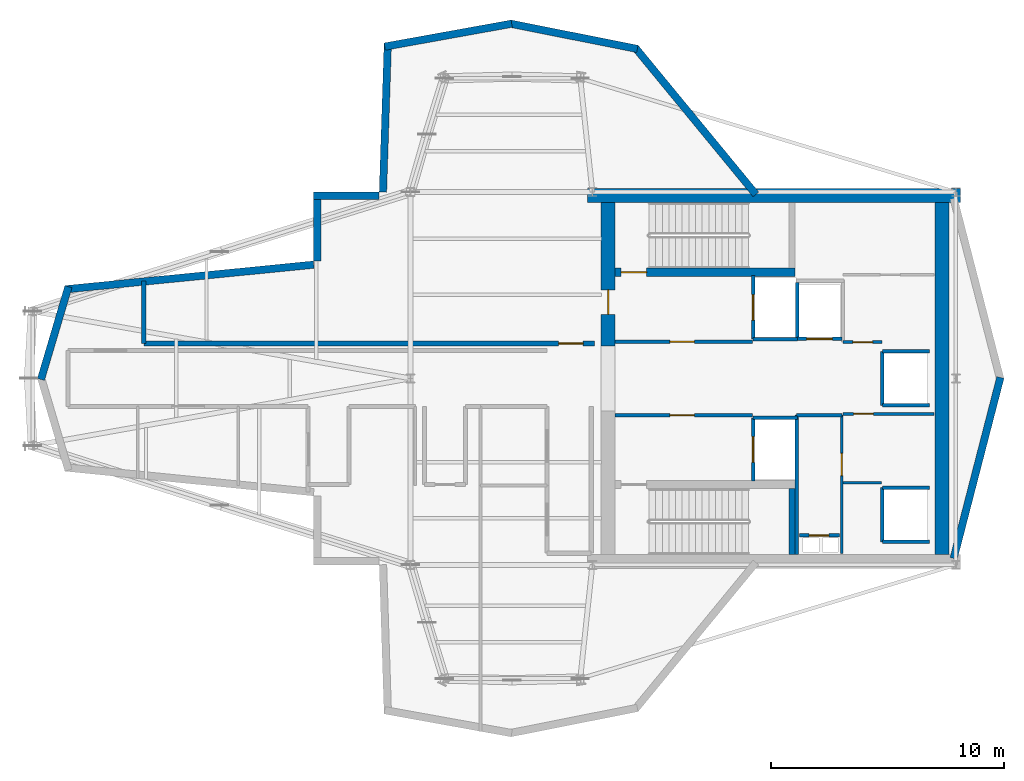
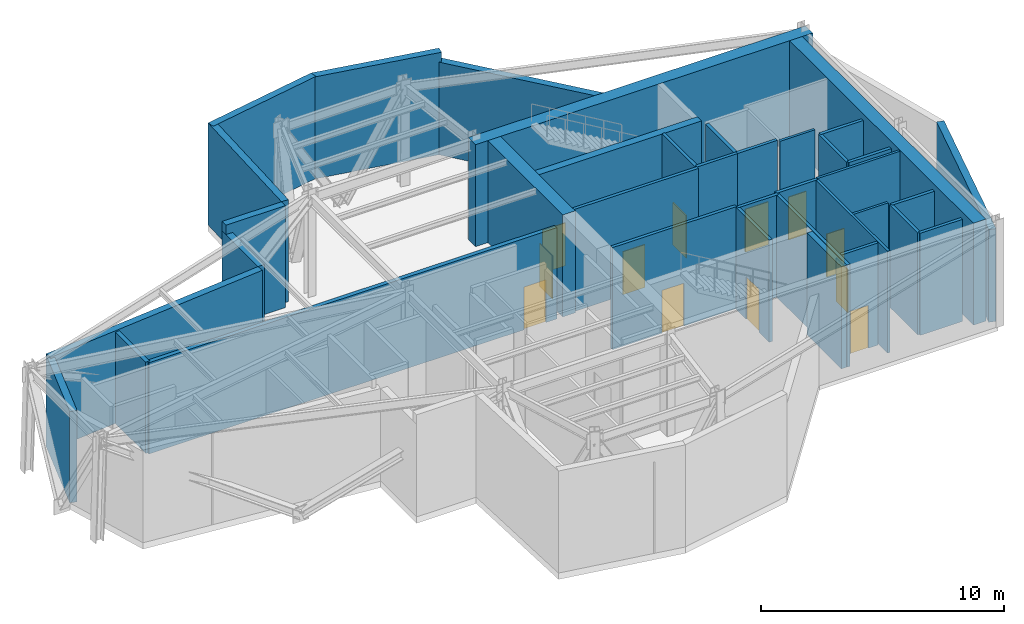
# One storey, part 3 of 5: 37 walls, 12 doors, 12 openings.
"""IFC4 building model written with IfcOpenShell, lengths in metres."""

from ifc_helpers import new_model, si_unit, direction, frame, frame_2d, origin, place, context, subcontext, project, spatial, rectangle, extrude, material, layer, layer_set, type_object, element, fill, save


model = new_model("IFC4")

# Units and contexts
model_context = context("Model", 3, precision=1e-05, world=origin(), true_north=direction((0.0, 1.0)))
body_context = subcontext(model_context, "Body", "Model", "MODEL_VIEW")
ifc_project = project(units=[si_unit("LENGTHUNIT", "METRE"), si_unit("AREAUNIT", "SQUARE_METRE"), si_unit("VOLUMEUNIT", "CUBIC_METRE"), si_unit("PLANEANGLEUNIT", "RADIAN"), si_unit("MASSUNIT", "GRAM", prefix="KILO")], contexts=[model_context])

# Site, building, storey
site_placement = place(None, origin())
site = spatial("IfcSite", under=ifc_project, at=site_placement, CompositionType="ELEMENT")
building_placement = place(site_placement, origin())
building = spatial("IfcBuilding", under=site, at=building_placement, Name="Veymaron Broadcast Tower", CompositionType="ELEMENT")
storey_placement = place(building_placement, frame((0.0, 0.0, 256.64990234375)))
storey = spatial("IfcBuildingStorey", under=building, at=storey_placement, Name="L60", CompositionType="ELEMENT", Elevation=256.64990234375)

# Walls
ifc_material_1 = material(Name="Precast concrete C40/50", Category="concrete")
ifc_layer_1 = layer(ifc_material_1, 0.320068359375)
ifc_layer_set_1 = layer_set([ifc_layer_1], Name="Precast concrete C40/50")
wall_type_1 = type_object("IfcWallType", Name="WALL-EXT-320", PredefinedType="STANDARD", material=ifc_layer_set_1)
wall_1_placement = place(storey_placement, frame((54.505859375, 16.275146484375, 0.0), z_axis=(0.0, 0.0, 1.0), x_axis=(0.250085170831, 0.968223841542, 0.0)))
element("IfcWall", 1, at=wall_1_placement, inside=storey, type_object=wall_type_1, Name="L60 mechanical belt-truss facade band 2-1", PredefinedType="STANDARD", context=body_context, shape_type="SweptSolid", body=[
    extrude(rectangle(XDim=8.019775390625, YDim=0.320068359375, at=frame_2d((4.009765625, 0.0))), origin(), (0.0, 0.0, 1.0), 4.649169921875),
])
wall_2_placement = place(storey_placement, frame((46.018798828125, 31.8984375, 0.0), z_axis=(0.0, 0.0, 1.0), x_axis=(-0.635089129199, 0.772438863583, 0.0)))
element("IfcWall", 2, at=wall_2_placement, inside=storey, type_object=wall_type_1, Name="L60 mechanical belt-truss facade band 5-1", PredefinedType="STANDARD", context=body_context, shape_type="SweptSolid", body=[
    extrude(rectangle(XDim=8.156982421875, YDim=0.320068359375, at=frame_2d((4.07861328125, 0.0))), origin(), (0.0, 0.0, 1.0), 4.649169921875),
])
wall_3_placement = place(storey_placement, frame((40.930908203125, 38.143798828125, 0.0), z_axis=(0.0, 0.0, 1.0), x_axis=(-0.980845053644, 0.194789580681, 0.0)))
element("IfcWall", 3, at=wall_3_placement, inside=storey, type_object=wall_type_1, Name="L60 mechanical belt-truss facade band 6-1", PredefinedType="STANDARD", context=body_context, shape_type="SweptSolid", body=[
    extrude(rectangle(XDim=5.557373046875, YDim=0.320068359375, at=frame_2d((2.77880859375, 0.0))), origin(), (0.0, 0.0, 1.0), 5.1201171875),
])
wall_4_placement = place(storey_placement, frame((35.53955078125, 39.2255859375, 0.0), z_axis=(0.0, 0.0, 1.0), x_axis=(-0.984097600436, -0.177628581079, 0.0)))
element("IfcWall", 4, at=wall_4_placement, inside=storey, type_object=wall_type_1, Name="L60 mechanical belt-truss facade band 7-1", PredefinedType="STANDARD", context=body_context, shape_type="SweptSolid", body=[
    extrude(rectangle(XDim=5.5390625, YDim=0.320068359375, at=frame_2d((2.76953125, 0.0))), origin(), (0.0, 0.0, 1.0), 5.1201171875),
])
wall_5_placement = place(storey_placement, frame((30.22021484375, 38.39404296875, 0.0), z_axis=(0.0, 0.0, 1.0), x_axis=(-0.032564460351, -0.999469637319, 0.0)))
element("IfcWall", 5, at=wall_5_placement, inside=storey, type_object=wall_type_1, Name="L60 mechanical belt-truss facade band 8-1", PredefinedType="STANDARD", context=body_context, shape_type="SweptSolid", body=[
    extrude(rectangle(XDim=6.402587890625, YDim=0.320068359375, at=frame_2d((3.201171875, 0.0))), origin(), (0.0, 0.0, 1.0), 5.1201171875),
])
wall_6_placement = place(storey_placement, frame((29.851806640625, 31.840087890625, 0.0), z_axis=(0.0, 0.0, 1.0), x_axis=(-1.0, 0.0, 0.0)))
element("IfcWall", 6, at=wall_6_placement, inside=storey, type_object=wall_type_1, Name="L60 mechanical belt-truss facade band 9-1", PredefinedType="STANDARD", context=body_context, shape_type="SweptSolid", body=[
    extrude(rectangle(XDim=2.826171875, YDim=0.320068359375, at=frame_2d((1.4130859375, 0.0))), origin(), (0.0, 0.0, 1.0), 5.1201171875),
])
wall_7_placement = place(storey_placement, frame((27.185546875, 32.0, 0.0), z_axis=(0.0, 0.0, 1.0), x_axis=(0.0, -1.0, 0.0)))
element("IfcWall", 7, at=wall_7_placement, inside=storey, type_object=wall_type_1, Name="L60 mechanical belt-truss facade band 10-1", PredefinedType="STANDARD", context=body_context, shape_type="SweptSolid", body=[
    extrude(rectangle(XDim=2.95751953125, YDim=0.320068359375, at=frame_2d((1.478759765625, 0.0))), origin(), (0.0, 0.0, 1.0), 4.649169921875),
])
wall_8_placement = place(storey_placement, frame((27.04150390625, 28.88330078125, 0.0), z_axis=(0.0, 0.0, 1.0), x_axis=(-0.995106185687, -0.098811331369, 0.0)))
element("IfcWall", 8, at=wall_8_placement, inside=storey, type_object=wall_type_1, Name="L60 mechanical belt-truss facade band 11-1", PredefinedType="STANDARD", context=body_context, shape_type="SweptSolid", body=[
    extrude(rectangle(XDim=10.71826171875, YDim=0.320068359375, at=frame_2d((5.359130859375, 0.0))), origin(), (0.0, 0.0, 1.0), 4.649169921875),
])
wall_9_placement = place(storey_placement, frame((16.513427734375, 27.937744140625, 0.0), z_axis=(0.0, 0.0, 1.0), x_axis=(-0.284246391131, -0.958751265516, 0.0)))
element("IfcWall", 9, at=wall_9_placement, inside=storey, type_object=wall_type_1, Name="L60 mechanical belt-truss facade band 12-1", PredefinedType="STANDARD", context=body_context, shape_type="SweptSolid", body=[
    extrude(rectangle(XDim=4.154541015625, YDim=0.320068359375, at=frame_2d((2.0771484375, 0.0))), origin(), (0.0, 0.0, 1.0), 4.580078125),
])

# Wall, opening, door
ifc_material_2 = material(Name="Gypsum fireboard and steel stud framing", Category="steel")
ifc_layer_2 = layer(ifc_material_2, 0.14990234375)
ifc_layer_set_2 = layer_set([ifc_layer_2], Name="Gypsum fireboard and steel stud framing")
wall_type_2 = type_object("IfcWallType", Name="WALL-FIRE-150", PredefinedType="PARTITIONING", material=ifc_layer_set_2)
wall_10_placement = place(storey_placement, frame((39.97998046875, 25.574951171875, 0.0), z_axis=(0.0, 0.0, 1.0), x_axis=(1.0, 0.0, 0.0)))
wall_10 = element("IfcWall", 10, at=wall_10_placement, inside=storey, type_object=wall_type_2, Name="L60 partition IW-L60-FFLN-S", PredefinedType="PARTITIONING", context=body_context, shape_type="SweptSolid", body=[
    extrude(rectangle(XDim=5.89990234375, YDim=0.14990234375, at=frame_2d((2.949951171875, 0.0))), origin(), (0.0, 0.0, 1.0), 5.1201171875),
])
opening_1_placement = place(wall_10_placement, frame((2.35009765625, 0.0, 0.0)))
opening_1 = element("IfcOpeningElement", 11, at=opening_1_placement, cuts=wall_10, Name="Opening ID-FL1", PredefinedType="OPENING", context=body_context, shape_type="SweptSolid", body=[
    extrude(rectangle(XDim=1.050048828125, YDim=2.14990234375, at=frame_2d((0.52490234375, 1.074951171875))), frame((0.0, 0.0849609375, 0.0), z_axis=(0.0, -1.0, 0.0), x_axis=(1.0, 0.0, 0.0)), (0.0, 0.0, 1.0), 0.169921875),
])
ifc_material_3 = material(Name="Fire-rated painted hollow steel ASTM A653", Category="steel")
door_type_1 = type_object("IfcDoorType", Name="DOOR-FIRE-1050", OperationType="NOTDEFINED", PredefinedType="DOOR", material=ifc_material_3)
door_1_placement = place(opening_1_placement, origin())
door_1 = element("IfcDoor", 12, at=door_1_placement, inside=storey, type_object=door_type_1, Name="L60 door DR-L60-FFLN", OperationType="SINGLE_SWING_LEFT", OverallHeight=2.14990234375, OverallWidth=1.050048828125, PredefinedType="DOOR", context=body_context, shape_type="SweptSolid", body=[
    extrude(rectangle(XDim=1.050048828125, YDim=2.14990234375, at=frame_2d((0.52490234375, 1.074951171875))), frame((0.0, 0.02490234375, 0.0), z_axis=(0.0, -1.0, 0.0), x_axis=(1.0, 0.0, 0.0)), (0.0, 0.0, 1.0), 0.050048828125),
])
fill(opening_1, door_1)

wall_11_placement = place(storey_placement, frame((39.97998046875, 22.425048828125, 0.0), z_axis=(0.0, 0.0, 1.0), x_axis=(1.0, 0.0, 0.0)))
wall_11 = element("IfcWall", 13, at=wall_11_placement, inside=storey, type_object=wall_type_2, Name="L60 partition IW-L60-FFLS-N", PredefinedType="PARTITIONING", context=body_context, shape_type="SweptSolid", body=[
    extrude(rectangle(XDim=5.89990234375, YDim=0.14990234375, at=frame_2d((2.949951171875, 0.0))), origin(), (0.0, 0.0, 1.0), 5.1201171875),
])
opening_2_placement = place(wall_11_placement, frame((2.35009765625, 0.0, 0.0)))
opening_2 = element("IfcOpeningElement", 14, at=opening_2_placement, cuts=wall_11, Name="Opening ID-FL1", PredefinedType="OPENING", context=body_context, shape_type="SweptSolid", body=[
    extrude(rectangle(XDim=1.050048828125, YDim=2.14990234375, at=frame_2d((0.52490234375, 1.074951171875))), frame((0.0, 0.0849609375, 0.0), z_axis=(0.0, -1.0, 0.0), x_axis=(1.0, 0.0, 0.0)), (0.0, 0.0, 1.0), 0.169921875),
])
door_2_placement = place(opening_2_placement, frame((1.050048828125, 0.0, 0.0), z_axis=(0.0, 0.0, 1.0), x_axis=(-1.0, 0.0, 0.0)))
door_2 = element("IfcDoor", 15, at=door_2_placement, inside=storey, type_object=door_type_1, Name="L60 door DR-L60-FFLS", OperationType="SINGLE_SWING_RIGHT", OverallHeight=2.14990234375, OverallWidth=1.050048828125, PredefinedType="DOOR", context=body_context, shape_type="SweptSolid", body=[
    extrude(rectangle(XDim=1.050048828125, YDim=2.14990234375, at=frame_2d((0.52490234375, 1.074951171875))), frame((0.0, 0.02490234375, 0.0), z_axis=(0.0, -1.0, 0.0), x_axis=(1.0, 0.0, 0.0)), (0.0, 0.0, 1.0), 0.050048828125),
])
fill(opening_2, door_2)

wall_12_placement = place(storey_placement, frame((45.89501953125, 25.68994140625, 0.0), z_axis=(0.0, 0.0, 1.0), x_axis=(0.0, 1.0, 0.0)))
wall_12 = element("IfcWall", 16, at=wall_12_placement, inside=storey, type_object=wall_type_2, Name="L60 partition IW-L60-SHW-FFL-1", PredefinedType="PARTITIONING", context=body_context, shape_type="SweptSolid", body=[
    extrude(rectangle(XDim=2.719970703125, YDim=0.14990234375, at=frame_2d((1.35986328125, 0.0))), origin(), (0.0, 0.0, 1.0), 5.1201171875),
])
opening_3_placement = place(wall_12_placement, frame((0.81005859375, 0.0, 0.0)))
opening_3 = element("IfcOpeningElement", 17, at=opening_3_placement, cuts=wall_12, Name="Opening LD", PredefinedType="OPENING", context=body_context, shape_type="SweptSolid", body=[
    extrude(rectangle(XDim=1.10009765625, YDim=2.14990234375, at=frame_2d((0.550048828125, 1.074951171875))), frame((0.0, 0.0849609375, 0.0), z_axis=(0.0, -1.0, 0.0), x_axis=(1.0, 0.0, 0.0)), (0.0, 0.0, 1.0), 0.169921875),
])
ifc_material_4 = material(Name="Brushed stainless steel AISI 304", Category="steel")
door_type_2 = type_object("IfcDoorType", Name="DOOR-LIFT-1100", OperationType="DOUBLE_DOOR_SLIDING", PredefinedType="DOOR", material=ifc_material_4)
door_3_placement = place(opening_3_placement, frame((1.10009765625, 0.0, 0.0), z_axis=(0.0, 0.0, 1.0), x_axis=(-1.0, 0.0, 0.0)))
door_3 = element("IfcDoor", 18, at=door_3_placement, inside=storey, type_object=door_type_2, Name="L60 door LD-L60-FFL-1", OperationType="DOUBLE_DOOR_SLIDING", OverallHeight=2.14990234375, OverallWidth=1.10009765625, PredefinedType="DOOR", context=body_context, shape_type="SweptSolid", body=[
    extrude(rectangle(XDim=1.10009765625, YDim=2.14990234375, at=frame_2d((0.550048828125, 1.074951171875))), frame((0.0, 0.02490234375, 0.0), z_axis=(0.0, -1.0, 0.0), x_axis=(1.0, 0.0, 0.0)), (0.0, 0.0, 1.0), 0.050048828125),
])
fill(opening_3, door_3)

# Wall
wall_13_placement = place(storey_placement, frame((45.89501953125, 25.68994140625, 0.0), z_axis=(0.0, 0.0, 1.0), x_axis=(1.0, 0.0, 0.0)))
element("IfcWall", 19, at=wall_13_placement, inside=storey, type_object=wall_type_2, Name="L60 partition IW-L60-SHS-FFL-1", PredefinedType="PARTITIONING", context=body_context, shape_type="SweptSolid", body=[
    extrude(rectangle(XDim=1.9150390625, YDim=0.14990234375, at=frame_2d((0.95751953125, 0.0))), origin(), (0.0, 0.0, 1.0), 5.1201171875),
])

# Wall, opening, door
wall_14_placement = place(storey_placement, frame((45.89501953125, 19.590087890625, 0.0), z_axis=(0.0, 0.0, 1.0), x_axis=(0.0, 1.0, 0.0)))
wall_14 = element("IfcWall", 20, at=wall_14_placement, inside=storey, type_object=wall_type_2, Name="L60 partition IW-L60-SHW-FFL-2", PredefinedType="PARTITIONING", context=body_context, shape_type="SweptSolid", body=[
    extrude(rectangle(XDim=2.719970703125, YDim=0.14990234375, at=frame_2d((1.35986328125, 0.0))), origin(), (0.0, 0.0, 1.0), 5.1201171875),
])
opening_4_placement = place(wall_14_placement, frame((0.81005859375, 0.0, 0.0)))
opening_4 = element("IfcOpeningElement", 21, at=opening_4_placement, cuts=wall_14, Name="Opening LD", PredefinedType="OPENING", context=body_context, shape_type="SweptSolid", body=[
    extrude(rectangle(XDim=1.10009765625, YDim=2.14990234375, at=frame_2d((0.550048828125, 1.074951171875))), frame((0.0, 0.0849609375, 0.0), z_axis=(0.0, -1.0, 0.0), x_axis=(1.0, 0.0, 0.0)), (0.0, 0.0, 1.0), 0.169921875),
])
door_4_placement = place(opening_4_placement, frame((1.10009765625, 0.0, 0.0), z_axis=(0.0, 0.0, 1.0), x_axis=(-1.0, 0.0, 0.0)))
door_4 = element("IfcDoor", 22, at=door_4_placement, inside=storey, type_object=door_type_2, Name="L60 door LD-L60-FFL-2", OperationType="DOUBLE_DOOR_SLIDING", OverallHeight=2.14990234375, OverallWidth=1.10009765625, PredefinedType="DOOR", context=body_context, shape_type="SweptSolid", body=[
    extrude(rectangle(XDim=1.10009765625, YDim=2.14990234375, at=frame_2d((0.550048828125, 1.074951171875))), frame((0.0, 0.02490234375, 0.0), z_axis=(0.0, -1.0, 0.0), x_axis=(1.0, 0.0, 0.0)), (0.0, 0.0, 1.0), 0.050048828125),
])
fill(opening_4, door_4)

# Wall
wall_15_placement = place(storey_placement, frame((45.89501953125, 22.31005859375, 0.0), z_axis=(0.0, 0.0, 1.0), x_axis=(1.0, 0.0, 0.0)))
element("IfcWall", 23, at=wall_15_placement, inside=storey, type_object=wall_type_2, Name="L60 partition IW-L60-SHN-FFL-2", PredefinedType="PARTITIONING", context=body_context, shape_type="SweptSolid", body=[
    extrude(rectangle(XDim=1.9150390625, YDim=0.14990234375, at=frame_2d((0.95751953125, 0.0))), origin(), (0.0, 0.0, 1.0), 5.1201171875),
])

# Wall, opening, door
wall_16_placement = place(storey_placement, frame((47.7900390625, 25.695068359375, 0.0), z_axis=(0.0, 0.0, 1.0), x_axis=(1.0, 0.0, 0.0)))
wall_16 = element("IfcWall", 24, at=wall_16_placement, inside=storey, type_object=wall_type_2, Name="L60 partition IW-L60-SHS-SL-1", PredefinedType="PARTITIONING", context=body_context, shape_type="SweptSolid", body=[
    extrude(rectangle(XDim=1.919921875, YDim=0.14990234375, at=frame_2d((0.9599609375, 0.0))), origin(), (0.0, 0.0, 1.0), 5.1201171875),
])
opening_5_placement = place(wall_16_placement, frame((0.409912109375, 0.0, 0.0)))
opening_5 = element("IfcOpeningElement", 25, at=opening_5_placement, cuts=wall_16, Name="Opening LD", PredefinedType="OPENING", context=body_context, shape_type="SweptSolid", body=[
    extrude(rectangle(XDim=1.10009765625, YDim=2.14990234375, at=frame_2d((0.550048828125, 1.074951171875))), frame((0.0, 0.0849609375, 0.0), z_axis=(0.0, -1.0, 0.0), x_axis=(1.0, 0.0, 0.0)), (0.0, 0.0, 1.0), 0.169921875),
])
door_5_placement = place(opening_5_placement, frame((1.10009765625, 0.0, 0.0), z_axis=(0.0, 0.0, 1.0), x_axis=(-1.0, 0.0, 0.0)))
door_5 = element("IfcDoor", 26, at=door_5_placement, inside=storey, type_object=door_type_2, Name="L60 door LD-L60-SL-1", OperationType="DOUBLE_DOOR_SLIDING", OverallHeight=2.14990234375, OverallWidth=1.10009765625, PredefinedType="DOOR", context=body_context, shape_type="SweptSolid", body=[
    extrude(rectangle(XDim=1.10009765625, YDim=2.14990234375, at=frame_2d((0.550048828125, 1.074951171875))), frame((0.0, 0.02490234375, 0.0), z_axis=(0.0, -1.0, 0.0), x_axis=(1.0, 0.0, 0.0)), (0.0, 0.0, 1.0), 0.050048828125),
])
fill(opening_5, door_5)

# Walls
wall_17_placement = place(storey_placement, frame((47.7900390625, 25.695068359375, 0.0), z_axis=(0.0, 0.0, 1.0), x_axis=(0.0, 1.0, 0.0)))
element("IfcWall", 27, at=wall_17_placement, inside=storey, type_object=wall_type_2, Name="L60 partition IW-L60-SHW-SL-1", PredefinedType="PARTITIONING", context=body_context, shape_type="SweptSolid", body=[
    extrude(rectangle(XDim=2.4150390625, YDim=0.14990234375, at=frame_2d((1.20751953125, 0.0))), origin(), (0.0, 0.0, 1.0), 5.1201171875),
])
wall_18_placement = place(storey_placement, frame((51.445068359375, 22.840087890625, 0.0), z_axis=(0.0, 0.0, 1.0), x_axis=(0.0, 1.0, 0.0)))
element("IfcWall", 28, at=wall_18_placement, inside=storey, type_object=wall_type_2, Name="L60 partition IW-L60-SHW-PM3", PredefinedType="PARTITIONING", context=body_context, shape_type="SweptSolid", body=[
    extrude(rectangle(XDim=2.31982421875, YDim=0.14990234375, at=frame_2d((1.159912109375, 0.0))), origin(), (0.0, 0.0, 1.0), 5.1201171875),
])
for number, where, z_axis, x_axis, name in (
    (29, (51.445068359375, 22.840087890625, 0.0), (0.0, 0.0, 1.0), (1.0, 0.0, 0.0), "L60 partition IW-L60-SHS-PM3"),
    (30, (51.445068359375, 25.159912109375, 0.0), (0.0, 0.0, 1.0), (1.0, 0.0, 0.0), "L60 partition IW-L60-SHN-PM3"),
):
    element("IfcWall", number, at=place(storey_placement, frame(where, z_axis=z_axis, x_axis=x_axis)), inside=storey, type_object=wall_type_2, Name=name, PredefinedType="PARTITIONING", context=body_context, shape_type="SweptSolid", body=[
        extrude(rectangle(XDim=2.014892578125, YDim=0.14990234375, at=frame_2d((1.00732421875, 0.0))), origin(), (0.0, 0.0, 1.0), 5.1201171875),
    ])
wall_19_placement = place(storey_placement, frame((51.445068359375, 16.989990234375, 0.0), z_axis=(0.0, 0.0, 1.0), x_axis=(0.0, 1.0, 0.0)))
element("IfcWall", 31, at=wall_19_placement, inside=storey, type_object=wall_type_2, Name="L60 partition IW-L60-SHW-PH1", PredefinedType="PARTITIONING", context=body_context, shape_type="SweptSolid", body=[
    extrude(rectangle(XDim=2.320068359375, YDim=0.14990234375, at=frame_2d((1.16015625, 0.0))), origin(), (0.0, 0.0, 1.0), 5.1201171875),
])
for number, where, z_axis, x_axis, name in (
    (32, (51.445068359375, 16.989990234375, 0.0), (0.0, 0.0, 1.0), (1.0, 0.0, 0.0), "L60 partition IW-L60-SHS-PH1"),
    (33, (51.445068359375, 19.31005859375, 0.0), (0.0, 0.0, 1.0), (1.0, 0.0, 0.0), "L60 partition IW-L60-SHN-PH1"),
):
    element("IfcWall", number, at=place(storey_placement, frame(where, z_axis=z_axis, x_axis=x_axis)), inside=storey, type_object=wall_type_2, Name=name, PredefinedType="PARTITIONING", context=body_context, shape_type="SweptSolid", body=[
        extrude(rectangle(XDim=2.014892578125, YDim=0.14990234375, at=frame_2d((1.00732421875, 0.0))), origin(), (0.0, 0.0, 1.0), 5.1201171875),
    ])

# Wall, opening, door
wall_20_placement = place(storey_placement, frame((47.8798828125, 17.260009765625, 0.0), z_axis=(0.0, 0.0, 1.0), x_axis=(1.0, 0.0, 0.0)))
wall_20 = element("IfcWall", 34, at=wall_20_placement, inside=storey, type_object=wall_type_2, Name="L60 partition IW-L60-RIS-N", PredefinedType="PARTITIONING", context=body_context, shape_type="SweptSolid", body=[
    extrude(rectangle(XDim=1.72021484375, YDim=0.14990234375, at=frame_2d((0.860107421875, 0.0))), origin(), (0.0, 0.0, 1.0), 5.1201171875),
])
opening_6_placement = place(wall_20_placement, frame((0.419921875, 0.0, 0.0)))
opening_6 = element("IfcOpeningElement", 35, at=opening_6_placement, cuts=wall_20, Name="Opening ID-RS1", PredefinedType="OPENING", context=body_context, shape_type="SweptSolid", body=[
    extrude(rectangle(XDim=0.85009765625, YDim=2.14990234375, at=frame_2d((0.425048828125, 1.074951171875))), frame((0.0, 0.0849609375, 0.0), z_axis=(0.0, -1.0, 0.0), x_axis=(1.0, 0.0, 0.0)), (0.0, 0.0, 1.0), 0.169921875),
])
ifc_material_5 = material(Name="Fire-rated powder-coated steel riser leaf", Category="steel")
door_type_3 = type_object("IfcDoorType", Name="DOOR-RIS-850", OperationType="NOTDEFINED", PredefinedType="TRAPDOOR", material=ifc_material_5)
door_6_placement = place(opening_6_placement, origin())
door_6 = element("IfcDoor", 36, at=door_6_placement, inside=storey, type_object=door_type_3, Name="L60 door DR-L60-RIS", OperationType="SINGLE_SWING_LEFT", OverallHeight=2.14990234375, OverallWidth=0.85009765625, PredefinedType="TRAPDOOR", context=body_context, shape_type="SweptSolid", body=[
    extrude(rectangle(XDim=0.85009765625, YDim=2.14990234375, at=frame_2d((0.425048828125, 1.074951171875))), frame((0.0, 0.02490234375, 0.0), z_axis=(0.0, -1.0, 0.0), x_axis=(1.0, 0.0, 0.0)), (0.0, 0.0, 1.0), 0.050048828125),
])
fill(opening_6, door_6)

# Walls
wall_21_placement = place(storey_placement, frame((47.760009765625, 22.425048828125, 0.0), z_axis=(0.0, 0.0, 1.0), x_axis=(1.0, 0.0, 0.0)))
element("IfcWall", 37, at=wall_21_placement, inside=storey, type_object=wall_type_2, Name="L60 partition IW-L60-SM-N", PredefinedType="PARTITIONING", context=body_context, shape_type="SweptSolid", body=[
    extrude(rectangle(XDim=1.9599609375, YDim=0.14990234375, at=frame_2d((0.97998046875, 0.0))), origin(), (0.0, 0.0, 1.0), 5.1201171875),
])
wall_22_placement = place(storey_placement, frame((47.780029296875, 16.449951171875, 0.0), z_axis=(0.0, 0.0, 1.0), x_axis=(0.0, 1.0, 0.0)))
element("IfcWall", 38, at=wall_22_placement, inside=storey, type_object=wall_type_2, Name="L60 partition IW-L60-SM-W", PredefinedType="PARTITIONING", context=body_context, shape_type="SweptSolid", body=[
    extrude(rectangle(XDim=5.97509765625, YDim=0.14990234375, at=frame_2d((2.987548828125, 0.0))), origin(), (0.0, 0.0, 1.0), 5.1201171875),
])

# Wall, opening, door
ifc_material_6 = material(Name="Concrete C40/50", Category="concrete")
ifc_layer_3 = layer(ifc_material_6, 0.199951171875)
ifc_layer_set_3 = layer_set([ifc_layer_3], Name="Concrete C40/50")
wall_type_3 = type_object("IfcWallType", Name="WALL-FIRE-200", PredefinedType="SOLIDWALL", material=ifc_layer_set_3)
wall_23_placement = place(storey_placement, frame((19.75, 25.5, 0.0), z_axis=(0.0, 0.0, 1.0), x_axis=(1.0, 0.0, 0.0)))
wall_23 = element("IfcWall", 39, at=wall_23_placement, inside=storey, type_object=wall_type_3, Name="L60 partition IW-L60-REFG-S", PredefinedType="SOLIDWALL", context=body_context, shape_type="SweptSolid", body=[
    extrude(rectangle(XDim=19.35009765625, YDim=0.199951171875, at=frame_2d((9.675048828125, 0.0))), origin(), (0.0, 0.0, 1.0), 4.580078125),
])
opening_7_placement = place(wall_23_placement, frame((17.800048828125, 0.0, 0.0)))
opening_7 = element("IfcOpeningElement", 40, at=opening_7_placement, cuts=wall_23, Name="Opening ID-FL1", PredefinedType="OPENING", context=body_context, shape_type="SweptSolid", body=[
    extrude(rectangle(XDim=1.050048828125, YDim=2.14990234375, at=frame_2d((0.52490234375, 1.074951171875))), frame((0.0, 0.10986328125, 0.0), z_axis=(0.0, -1.0, 0.0), x_axis=(1.0, 0.0, 0.0)), (0.0, 0.0, 1.0), 0.219970703125),
])
door_7_placement = place(opening_7_placement, origin())
door_7 = element("IfcDoor", 41, at=door_7_placement, inside=storey, type_object=door_type_1, Name="L60 door DR-L60-REFG", OperationType="SINGLE_SWING_LEFT", OverallHeight=2.14990234375, OverallWidth=1.050048828125, PredefinedType="DOOR", context=body_context, shape_type="SweptSolid", body=[
    extrude(rectangle(XDim=1.050048828125, YDim=2.14990234375, at=frame_2d((0.52490234375, 1.074951171875))), frame((0.0, 0.02490234375, 0.0), z_axis=(0.0, -1.0, 0.0), x_axis=(1.0, 0.0, 0.0)), (0.0, 0.0, 1.0), 0.050048828125),
])
fill(opening_7, door_7)

# Wall
wall_24_placement = place(storey_placement, frame((19.75, 25.5, 0.0), z_axis=(0.0, 0.0, 1.0), x_axis=(0.0, 1.0, 0.0)))
element("IfcWall", 42, at=wall_24_placement, inside=storey, type_object=wall_type_3, Name="L60 partition IW-L60-REFG-W", PredefinedType="SOLIDWALL", context=body_context, shape_type="SweptSolid", body=[
    extrude(rectangle(XDim=2.679931640625, YDim=0.199951171875, at=frame_2d((1.33984375, 0.0))), origin(), (0.0, 0.0, 1.0), 4.580078125),
])

# Wall, opening, door
ifc_material_7 = material(Name="Acoustic gypsum board and galvanized stud", Category="gypsum")
ifc_layer_4 = layer(ifc_material_7, 0.1201171875)
ifc_layer_set_4 = layer_set([ifc_layer_4], Name="Acoustic gypsum board and galvanized stud")
wall_type_4 = type_object("IfcWallType", Name="WALL-PART-120", PredefinedType="PARTITIONING", material=ifc_layer_set_4)
wall_25_placement = place(storey_placement, frame((49.699951171875, 16.47998046875, 0.0), z_axis=(0.0, 0.0, 1.0), x_axis=(0.0, 1.0, 0.0)))
wall_25 = element("IfcWall", 43, at=wall_25_placement, inside=storey, type_object=wall_type_4, Name="L60 partition IW-L60-SM-E", PredefinedType="PARTITIONING", context=body_context, shape_type="SweptSolid", body=[
    extrude(rectangle(XDim=5.945068359375, YDim=0.1201171875, at=frame_2d((2.97265625, 0.0))), origin(), (0.0, 0.0, 1.0), 5.1201171875),
])
opening_8_placement = place(wall_25_placement, frame((3.35009765625, 0.0, 0.0)))
opening_8 = element("IfcOpeningElement", 44, at=opening_8_placement, cuts=wall_25, Name="Opening ID-RM1", PredefinedType="OPENING", context=body_context, shape_type="SweptSolid", body=[
    extrude(rectangle(XDim=0.949951171875, YDim=2.14990234375, at=frame_2d((0.47509765625, 1.074951171875))), frame((0.0, 0.070068359375, 0.0), z_axis=(0.0, -1.0, 0.0), x_axis=(1.0, 0.0, 0.0)), (0.0, 0.0, 1.0), 0.14013671875),
])
ifc_material_8 = material(Name="Acoustic solid-core European oak veneer timber", Category="wood")
door_type_4 = type_object("IfcDoorType", Name="DOOR-INT-950", OperationType="NOTDEFINED", PredefinedType="DOOR", material=ifc_material_8)
door_8_placement = place(opening_8_placement, frame((0.949951171875, 0.0, 0.0), z_axis=(0.0, 0.0, 1.0), x_axis=(-1.0, 0.0, 0.0)))
door_8 = element("IfcDoor", 45, at=door_8_placement, inside=storey, type_object=door_type_4, Name="L60 door DR-L60-AWC", OperationType="SINGLE_SWING_LEFT", OverallHeight=2.14990234375, OverallWidth=0.949951171875, PredefinedType="DOOR", context=body_context, shape_type="SweptSolid", body=[
    extrude(rectangle(XDim=0.949951171875, YDim=2.14990234375, at=frame_2d((0.47509765625, 1.074951171875))), frame((0.0, 0.02490234375, 0.0), z_axis=(0.0, -1.0, 0.0), x_axis=(1.0, 0.0, 0.0)), (0.0, 0.0, 1.0), 0.050048828125),
])
fill(opening_8, door_8)

wall_26_placement = place(storey_placement, frame((49.760009765625, 22.47998046875, 0.0), z_axis=(0.0, 0.0, 1.0), x_axis=(1.0, 0.0, 0.0)))
wall_26 = element("IfcWall", 46, at=wall_26_placement, inside=storey, type_object=wall_type_4, Name="L60 partition IW-L60-F2S-N", PredefinedType="PARTITIONING", context=body_context, shape_type="SweptSolid", body=[
    extrude(rectangle(XDim=3.89990234375, YDim=0.1201171875, at=frame_2d((1.949951171875, 0.0))), origin(), (0.0, 0.0, 1.0), 5.1201171875),
])
opening_9_placement = place(wall_26_placement, frame((0.449951171875, 0.0, 0.0)))
opening_9 = element("IfcOpeningElement", 47, at=opening_9_placement, cuts=wall_26, Name="Opening ID-WC1", PredefinedType="OPENING", context=body_context, shape_type="SweptSolid", body=[
    extrude(rectangle(XDim=0.85009765625, YDim=2.14990234375, at=frame_2d((0.425048828125, 1.074951171875))), frame((0.0, 0.070068359375, 0.0), z_axis=(0.0, -1.0, 0.0), x_axis=(1.0, 0.0, 0.0)), (0.0, 0.0, 1.0), 0.14013671875),
])
ifc_material_9 = material(Name="Moisture-resistant high-pressure laminate timber", Category="wood")
door_type_5 = type_object("IfcDoorType", Name="DOOR-INT-850", OperationType="NOTDEFINED", PredefinedType="DOOR", material=ifc_material_9)
door_9_placement = place(opening_9_placement, frame((0.85009765625, 0.0, 0.0), z_axis=(0.0, 0.0, 1.0), x_axis=(-1.0, 0.0, 0.0)))
door_9 = element("IfcDoor", 48, at=door_9_placement, inside=storey, type_object=door_type_5, Name="L60 door DR-L60-F2S", OperationType="SINGLE_SWING_LEFT", OverallHeight=2.14990234375, OverallWidth=0.85009765625, PredefinedType="DOOR", context=body_context, shape_type="SweptSolid", body=[
    extrude(rectangle(XDim=0.85009765625, YDim=2.14990234375, at=frame_2d((0.425048828125, 1.074951171875))), frame((0.0, 0.02490234375, 0.0), z_axis=(0.0, -1.0, 0.0), x_axis=(1.0, 0.0, 0.0)), (0.0, 0.0, 1.0), 0.050048828125),
])
fill(opening_9, door_9)

# Wall
wall_27_placement = place(storey_placement, frame((49.760009765625, 19.52001953125, 0.0), z_axis=(0.0, 0.0, 1.0), x_axis=(1.0, 0.0, 0.0)))
element("IfcWall", 49, at=wall_27_placement, inside=storey, type_object=wall_type_4, Name="L60 partition IW-L60-F2S-S", PredefinedType="PARTITIONING", context=body_context, shape_type="SweptSolid", body=[
    extrude(rectangle(XDim=1.639892578125, YDim=0.1201171875, at=frame_2d((0.81982421875, 0.0))), origin(), (0.0, 0.0, 1.0), 5.1201171875),
])

# Wall, opening, door
wall_28_placement = place(storey_placement, frame((49.760009765625, 25.56005859375, 0.0), z_axis=(0.0, 0.0, 1.0), x_axis=(1.0, 0.0, 0.0)))
wall_28 = element("IfcWall", 50, at=wall_28_placement, inside=storey, type_object=wall_type_4, Name="L60 partition IW-L60-F2-S", PredefinedType="PARTITIONING", context=body_context, shape_type="SweptSolid", body=[
    extrude(rectangle(XDim=1.659912109375, YDim=0.1201171875, at=frame_2d((0.830078125, 0.0))), origin(), (0.0, 0.0, 1.0), 5.1201171875),
])
opening_10_placement = place(wall_28_placement, frame((0.419921875, 0.0, 0.0)))
opening_10 = element("IfcOpeningElement", 51, at=opening_10_placement, cuts=wall_28, Name="Opening ID-WC1", PredefinedType="OPENING", context=body_context, shape_type="SweptSolid", body=[
    extrude(rectangle(XDim=0.85009765625, YDim=2.14990234375, at=frame_2d((0.425048828125, 1.074951171875))), frame((0.0, 0.070068359375, 0.0), z_axis=(0.0, -1.0, 0.0), x_axis=(1.0, 0.0, 0.0)), (0.0, 0.0, 1.0), 0.14013671875),
])
door_10_placement = place(opening_10_placement, origin())
door_10 = element("IfcDoor", 52, at=door_10_placement, inside=storey, type_object=door_type_5, Name="L60 door DR-L60-F2A", OperationType="SINGLE_SWING_LEFT", OverallHeight=2.14990234375, OverallWidth=0.85009765625, PredefinedType="DOOR", context=body_context, shape_type="SweptSolid", body=[
    extrude(rectangle(XDim=0.85009765625, YDim=2.14990234375, at=frame_2d((0.425048828125, 1.074951171875))), frame((0.0, 0.02490234375, 0.0), z_axis=(0.0, -1.0, 0.0), x_axis=(1.0, 0.0, 0.0)), (0.0, 0.0, 1.0), 0.050048828125),
])
fill(opening_10, door_10)

# Wall
ifc_material_10 = material(Name="Concrete C50/60", Category="concrete")
ifc_layer_5 = layer(ifc_material_10, 0.25)
ifc_layer_set_5 = layer_set([ifc_layer_5], Name="Concrete C50/60")
wall_type_5 = type_object("IfcWallType", Name="WALL-SHEAR-250", PredefinedType="SHEAR", material=ifc_layer_set_5)
wall_29_placement = place(storey_placement, frame((47.56494140625, 16.449951171875, 0.0), z_axis=(0.0, 0.0, 1.0), x_axis=(0.0, 1.0, 0.0)))
element("IfcWall", 53, at=wall_29_placement, inside=storey, type_object=wall_type_5, Name="L60 Core Wall south stair east shear", PredefinedType="SHEAR", context=body_context, shape_type="SweptSolid", body=[
    extrude(rectangle(XDim=2.820068359375, YDim=0.25, at=frame_2d((1.41015625, 0.0))), origin(), (0.0, 0.0, 1.0), 5.1201171875),
])

# Wall, opening, door
ifc_layer_6 = layer(ifc_material_10, 0.35009765625)
ifc_layer_set_6 = layer_set([ifc_layer_6], Name="Concrete C50/60")
wall_type_6 = type_object("IfcWallType", Name="WALL-SHEAR-350", PredefinedType="SHEAR", material=ifc_layer_set_6)
wall_30_placement = place(storey_placement, frame((39.97998046875, 28.554931640625, 0.0), z_axis=(0.0, 0.0, 1.0), x_axis=(1.0, 0.0, 0.0)))
wall_30 = element("IfcWall", 54, at=wall_30_placement, inside=storey, type_object=wall_type_6, Name="L60 Core Wall north stair spine", PredefinedType="SHEAR", context=body_context, shape_type="SweptSolid", body=[
    extrude(rectangle(XDim=7.7099609375, YDim=0.35009765625, at=frame_2d((3.85498046875, 0.0))), origin(), (0.0, 0.0, 1.0), 5.1201171875),
])
opening_11_placement = place(wall_30_placement, frame((0.25, 0.0, 0.0)))
opening_11 = element("IfcOpeningElement", 55, at=opening_11_placement, cuts=wall_30, Name="Opening ID-ST1", PredefinedType="OPENING", context=body_context, shape_type="SweptSolid", body=[
    extrude(rectangle(XDim=1.10009765625, YDim=2.14990234375, at=frame_2d((0.550048828125, 1.074951171875))), frame((0.0, 0.18505859375, 0.0), z_axis=(0.0, -1.0, 0.0), x_axis=(1.0, 0.0, 0.0)), (0.0, 0.0, 1.0), 0.3701171875),
])
door_type_6 = type_object("IfcDoorType", Name="DOOR-STAIR-1100", OperationType="NOTDEFINED", PredefinedType="DOOR", material=ifc_material_3)
door_11_placement = place(opening_11_placement, origin())
door_11 = element("IfcDoor", 56, at=door_11_placement, inside=storey, type_object=door_type_6, Name="L60 exit stair ST1 fire door", OperationType="SINGLE_SWING_LEFT", OverallHeight=2.14990234375, OverallWidth=1.10009765625, PredefinedType="DOOR", context=body_context, shape_type="SweptSolid", body=[
    extrude(rectangle(XDim=1.10009765625, YDim=2.14990234375, at=frame_2d((0.550048828125, 1.074951171875))), frame((0.0, 0.02490234375, 0.0), z_axis=(0.0, -1.0, 0.0), x_axis=(1.0, 0.0, 0.0)), (0.0, 0.0, 1.0), 0.050048828125),
])
fill(opening_11, door_11)

# Wall
ifc_layer_7 = layer(ifc_material_10, 0.60009765625)
ifc_layer_set_7 = layer_set([ifc_layer_7], Name="Concrete C50/60")
wall_type_7 = type_object("IfcWallType", Name="WALL-SHEAR-600", PredefinedType="SHEAR", material=ifc_layer_set_7)
wall_31_placement = place(storey_placement, frame((38.800048828125, 31.85009765625, 0.0), z_axis=(0.0, 0.0, 1.0), x_axis=(1.0, 0.0, 0.0)))
element("IfcWall", 57, at=wall_31_placement, inside=storey, type_object=wall_type_7, Name="L60 Core Wall north shear", PredefinedType="SHEAR", context=body_context, shape_type="SweptSolid", body=[
    extrude(rectangle(XDim=16.0, YDim=0.60009765625, at=frame_2d((8.0, 0.0))), origin(), (0.0, 0.0, 1.0), 5.1201171875),
])

# Wall, opening, door
wall_32_placement = place(storey_placement, frame((39.679931640625, 25.39990234375, 0.0), z_axis=(0.0, 0.0, 1.0), x_axis=(0.0, 1.0, 0.0)))
wall_32 = element("IfcWall", 58, at=wall_32_placement, inside=storey, type_object=wall_type_7, Name="L60 Core Wall west-north shear", PredefinedType="SHEAR", context=body_context, shape_type="SweptSolid", body=[
    extrude(rectangle(XDim=6.150146484375, YDim=0.60009765625, at=frame_2d((3.0751953125, 0.0))), origin(), (0.0, 0.0, 1.0), 5.1201171875),
])
opening_12_placement = place(wall_32_placement, frame((1.35009765625, 0.0, 0.0)))
opening_12 = element("IfcOpeningElement", 59, at=opening_12_placement, cuts=wall_32, Name="Opening ID-FL1", PredefinedType="OPENING", context=body_context, shape_type="SweptSolid", body=[
    extrude(rectangle(XDim=1.050048828125, YDim=2.14990234375, at=frame_2d((0.52490234375, 1.074951171875))), frame((0.0, 0.31005859375, 0.0), z_axis=(0.0, -1.0, 0.0), x_axis=(1.0, 0.0, 0.0)), (0.0, 0.0, 1.0), 0.6201171875),
])
door_12_placement = place(opening_12_placement, origin())
door_12 = element("IfcDoor", 60, at=door_12_placement, inside=storey, type_object=door_type_1, Name="L60 refuge direct stair-lobby fire door", OperationType="SINGLE_SWING_LEFT", OverallHeight=2.14990234375, OverallWidth=1.050048828125, PredefinedType="DOOR", context=body_context, shape_type="SweptSolid", body=[
    extrude(rectangle(XDim=1.050048828125, YDim=2.14990234375, at=frame_2d((0.52490234375, 1.074951171875))), frame((0.0, 0.02490234375, 0.0), z_axis=(0.0, -1.0, 0.0), x_axis=(1.0, 0.0, 0.0)), (0.0, 0.0, 1.0), 0.050048828125),
])
fill(opening_12, door_12)

# Wall
wall_33_placement = place(storey_placement, frame((54.0, 16.449951171875, 0.0), z_axis=(0.0, 0.0, 1.0), x_axis=(0.0, 1.0, 0.0)))
element("IfcWall", 61, at=wall_33_placement, inside=storey, type_object=wall_type_7, Name="L60 Core Wall east shear", PredefinedType="SHEAR", context=body_context, shape_type="SweptSolid", body=[
    extrude(rectangle(XDim=15.10009765625, YDim=0.60009765625, at=frame_2d((7.550048828125, 0.0))), origin(), (0.0, 0.0, 1.0), 5.1201171875),
])

save(model, "model.ifc")
